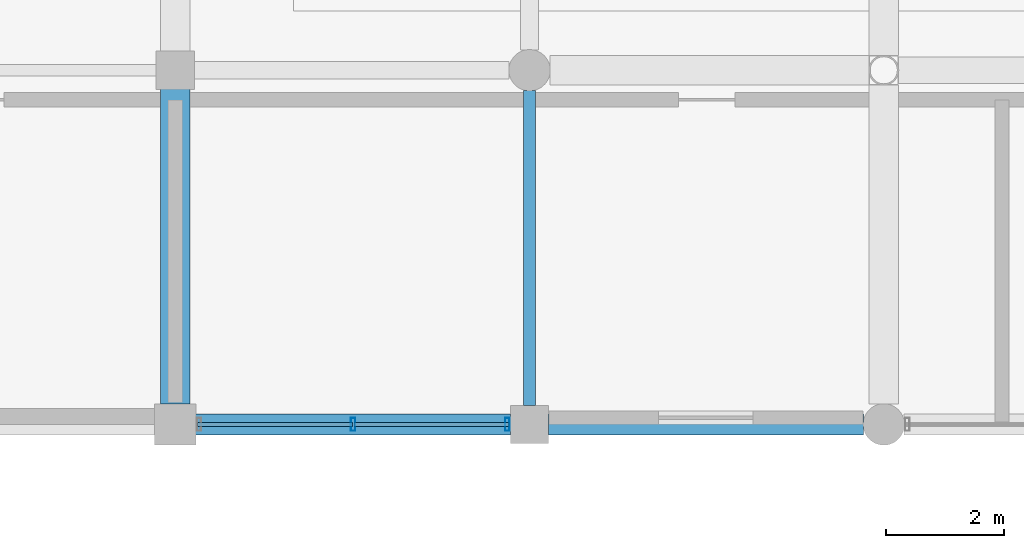
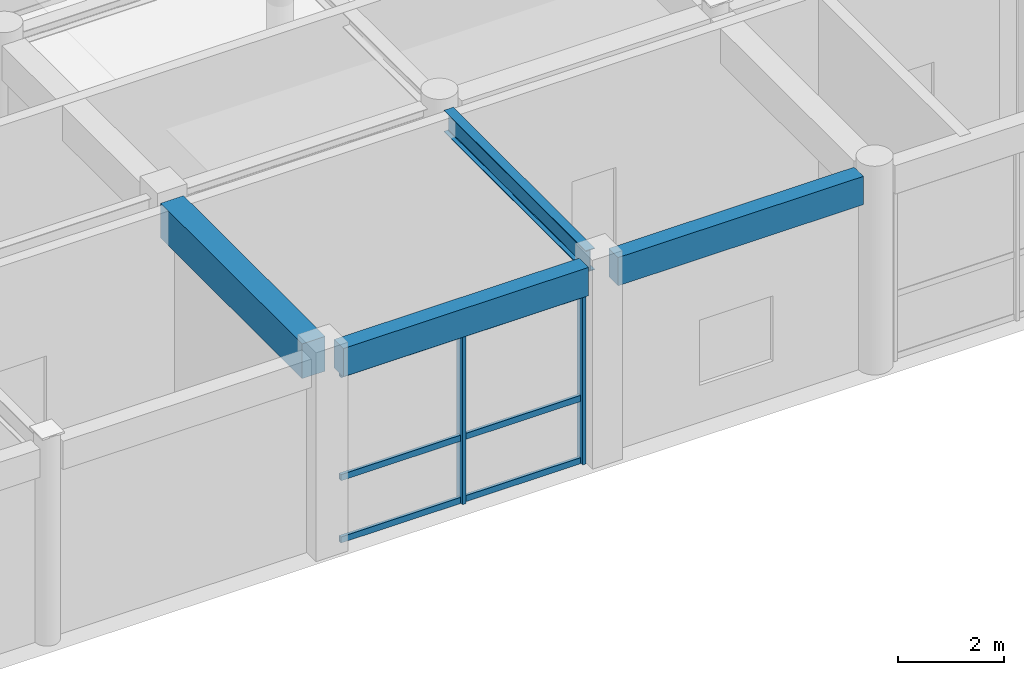
# One storey, part 46 of 112: 8 members, 4 beams, 1 element without a shape of its own.
"""IFC4 building model written with IfcOpenShell, lengths in metres."""

from ifc_helpers import new_model, si_unit, direction, frame, origin, origin_2d, place, context, subcontext, project, spatial, rectangle, hollow_rectangle, i_section, extrude, material, material_profile, profile_set, type_object, element, aggregate, save


model = new_model("IFC4")

# Units and contexts
model_context = context("Model", 3, precision=1e-05, world=origin(), true_north=direction((0.0, 1.0)))
body_context = subcontext(model_context, "Body", "Model", "MODEL_VIEW")
ifc_project = project(units=[si_unit("LENGTHUNIT", "METRE"), si_unit("AREAUNIT", "SQUARE_METRE"), si_unit("VOLUMEUNIT", "CUBIC_METRE"), si_unit("PLANEANGLEUNIT", "RADIAN"), si_unit("MASSUNIT", "GRAM", prefix="KILO"), si_unit("THERMODYNAMICTEMPERATUREUNIT", "KELVIN"), si_unit("POWERUNIT", "WATT")], contexts=[model_context])

# Site, building, storey
site_placement = place(None, origin())
site = spatial("IfcSite", under=ifc_project, at=site_placement, CompositionType="ELEMENT")
building_placement = place(site_placement, origin())
building = spatial("IfcBuilding", under=site, at=building_placement, Name="Phaisarnlok Congress Hotel", CompositionType="ELEMENT")
storey_placement = place(building_placement, frame((0.0, 0.0, 19.800048828125)))
storey = spatial("IfcBuildingStorey", under=building, at=storey_placement, Name="L04", CompositionType="ELEMENT", Elevation=19.800048828125)

# Beams
ifc_material_1 = material(Name="Concrete C40/50", Category="concrete")
ifc_material_profile_1 = material_profile(ifc_material_1, rectangle(XDim=0.5, YDim=0.800048828125, at=origin_2d()), Name="RC 500x800")
ifc_profile_set_1 = profile_set([ifc_material_profile_1], Name="Concrete C40/50")
beam_type_1 = type_object("IfcBeamType", Name="BM-RC-500x800", PredefinedType="BEAM", material=ifc_profile_set_1)
beam_1_placement = place(storey_placement, frame((84.0, 108.344970703125, 4.14990234375), z_axis=(0.0, 1.0, 0.0), x_axis=(-1.0, 0.0, 0.0)))
element("IfcBeam", 1, at=beam_1_placement, inside=storey, type_object=beam_type_1, Name="Beam B-04", PredefinedType="BEAM", context=body_context, shape_type="SweptSolid", body=[
    extrude(rectangle(XDim=0.5, YDim=0.800048828125, at=origin_2d()), origin(), (0.0, 0.0, 1.0), 5.3349609375),
])
ifc_material_2 = material(Name="Steel S355", Category="steel")
ifc_material_profile_2 = material_profile(ifc_material_2, i_section(OverallWidth=0.199951171875, OverallDepth=0.5, WebThickness=0.01025390625, FlangeThickness=0.01611328125, FilletRadius=0.02099609375, at=origin_2d()), Name="IPE 500")
ifc_profile_set_2 = profile_set([ifc_material_profile_2], Name="Steel S355")
beam_type_2 = type_object("IfcBeamType", Name="BM-STL-IPE500", PredefinedType="BEAM", material=ifc_profile_set_2)
beam_2_placement = place(storey_placement, frame((90.0, 108.320068359375, 4.300048828125), z_axis=(0.0, 1.0, 0.0), x_axis=(-1.0, 0.0, 0.0)))
element("IfcBeam", 2, at=beam_2_placement, inside=storey, type_object=beam_type_2, Name="Beam SB-02", PredefinedType="BEAM", context=body_context, shape_type="SweptSolid", body=[
    extrude(i_section(OverallWidth=0.199951171875, OverallDepth=0.5, WebThickness=0.01025390625, FlangeThickness=0.01611328125, FilletRadius=0.02099609375, at=origin_2d()), origin(), (0.0, 0.0, 1.0), 5.3349609375),
])

# Curtain wall, members
ifc_material_3 = material(Name="Thermally Broken Unitised Aluminium & Low-E Glazing", Category="aluminium")
curtain_wall_type = type_object("IfcCurtainWallType", Name="CW-UNIT-33", PredefinedType="NOTDEFINED", material=ifc_material_3)
curtain_wall_placement = place(storey_placement, origin())
curtain_wall = element("IfcCurtainWall", 3, at=curtain_wall_placement, inside=storey, type_object=curtain_wall_type, Name="Unitised curtain wall CW-33 (L04)", PredefinedType="NOTDEFINED")
ifc_material_4 = material(Name="Anodised Aluminium Alloy 6063-T6", Category="aluminium")
ifc_material_profile_3 = material_profile(ifc_material_4, hollow_rectangle(XDim=0.074951171875, YDim=0.219970703125, WallThickness=0.0048828125, at=origin_2d()), Name="ALU-M 75x220x5")
ifc_profile_set_3 = profile_set([ifc_material_profile_3], Name="Anodised Aluminium Alloy 6063-T6")
member_type_1 = type_object("IfcMemberType", Name="CWM-220", PredefinedType="MULLION", material=ifc_profile_set_3)
member_1_placement = place(storey_placement, frame((87.012451171875, 108.0, 0.0), z_axis=(0.0, 0.0, 1.0), x_axis=(1.0, 0.0, 0.0)))
member_1 = element("IfcMember", 4, at=member_1_placement, type_object=member_type_1, Name="Curtain wall mullion CWM-02", PredefinedType="MULLION", context=body_context, shape_type="SweptSolid", body=[
    extrude(hollow_rectangle(XDim=0.074951171875, YDim=0.219970703125, WallThickness=0.0048828125, at=origin_2d()), origin(), (0.0, 0.0, 1.0), 3.89990234375),
])
member_2_placement = place(storey_placement, frame((89.625, 108.0, 0.0), z_axis=(0.0, 0.0, 1.0), x_axis=(1.0, 0.0, 0.0)))
member_2 = element("IfcMember", 5, at=member_2_placement, type_object=member_type_1, Name="Curtain wall mullion CWM-02", PredefinedType="MULLION", context=body_context, shape_type="SweptSolid", body=[
    extrude(hollow_rectangle(XDim=0.074951171875, YDim=0.219970703125, WallThickness=0.0048828125, at=origin_2d()), origin(), (0.0, 0.0, 1.0), 3.89990234375),
])
ifc_material_profile_4 = material_profile(ifc_material_4, hollow_rectangle(XDim=0.06494140625, YDim=0.139892578125, WallThickness=0.00390625, at=origin_2d()), Name="ALU-T 65x140x4")
ifc_profile_set_4 = profile_set([ifc_material_profile_4], Name="Anodised Aluminium Alloy 6063-T6")
member_type_2 = type_object("IfcMemberType", Name="CWT-150", PredefinedType="USERDEFINED", material=ifc_profile_set_4)
member_3_placement = place(storey_placement, frame((84.375, 108.0, 0.050048828125), z_axis=(1.0, 0.0, 0.0), x_axis=(0.0, 1.0, 0.0)))
member_3 = element("IfcMember", 6, at=member_3_placement, type_object=member_type_2, Name="Curtain wall transom CWT-01", ObjectType="TRANSOM", PredefinedType="USERDEFINED", context=body_context, shape_type="SweptSolid", body=[
    extrude(hollow_rectangle(XDim=0.06494140625, YDim=0.139892578125, WallThickness=0.00390625, at=origin_2d()), origin(), (0.0, 0.0, 1.0), 2.62255859375),
])
member_4_placement = place(storey_placement, frame((84.375, 108.0, 1.48193359375), z_axis=(1.0, 0.0, 0.0), x_axis=(0.0, 1.0, 0.0)))
member_4 = element("IfcMember", 7, at=member_4_placement, type_object=member_type_2, Name="Curtain wall transom CWT-01", ObjectType="TRANSOM", PredefinedType="USERDEFINED", context=body_context, shape_type="SweptSolid", body=[
    extrude(hollow_rectangle(XDim=0.06494140625, YDim=0.139892578125, WallThickness=0.00390625, at=origin_2d()), origin(), (0.0, 0.0, 1.0), 2.62255859375),
])
member_5_placement = place(storey_placement, frame((84.375, 108.0, 3.849853515625), z_axis=(1.0, 0.0, 0.0), x_axis=(0.0, 1.0, 0.0)))
member_5 = element("IfcMember", 8, at=member_5_placement, type_object=member_type_2, Name="Curtain wall transom CWT-01", ObjectType="TRANSOM", PredefinedType="USERDEFINED", context=body_context, shape_type="SweptSolid", body=[
    extrude(hollow_rectangle(XDim=0.06494140625, YDim=0.139892578125, WallThickness=0.00390625, at=origin_2d()), origin(), (0.0, 0.0, 1.0), 2.62255859375),
])
member_6_placement = place(storey_placement, frame((87.027587890625, 108.0, 0.050048828125), z_axis=(1.0, 0.0, 0.0), x_axis=(0.0, 1.0, 0.0)))
member_6 = element("IfcMember", 9, at=member_6_placement, type_object=member_type_2, Name="Curtain wall transom CWT-01", ObjectType="TRANSOM", PredefinedType="USERDEFINED", context=body_context, shape_type="SweptSolid", body=[
    extrude(hollow_rectangle(XDim=0.06494140625, YDim=0.139892578125, WallThickness=0.00390625, at=origin_2d()), origin(), (0.0, 0.0, 1.0), 2.622314453125),
])
member_7_placement = place(storey_placement, frame((87.027587890625, 108.0, 1.48193359375), z_axis=(1.0, 0.0, 0.0), x_axis=(0.0, 1.0, 0.0)))
member_7 = element("IfcMember", 10, at=member_7_placement, type_object=member_type_2, Name="Curtain wall transom CWT-01", ObjectType="TRANSOM", PredefinedType="USERDEFINED", context=body_context, shape_type="SweptSolid", body=[
    extrude(hollow_rectangle(XDim=0.06494140625, YDim=0.139892578125, WallThickness=0.00390625, at=origin_2d()), origin(), (0.0, 0.0, 1.0), 2.622314453125),
])
member_8_placement = place(storey_placement, frame((87.027587890625, 108.0, 3.849853515625), z_axis=(1.0, 0.0, 0.0), x_axis=(0.0, 1.0, 0.0)))
member_8 = element("IfcMember", 11, at=member_8_placement, type_object=member_type_2, Name="Curtain wall transom CWT-01", ObjectType="TRANSOM", PredefinedType="USERDEFINED", context=body_context, shape_type="SweptSolid", body=[
    extrude(hollow_rectangle(XDim=0.06494140625, YDim=0.139892578125, WallThickness=0.00390625, at=origin_2d()), origin(), (0.0, 0.0, 1.0), 2.622314453125),
])
aggregate(curtain_wall, [member_1, member_2, member_3, member_4, member_5, member_6, member_7, member_8])

# Beams
ifc_material_profile_5 = material_profile(ifc_material_1, rectangle(XDim=0.35009765625, YDim=0.64990234375, at=origin_2d()), Name="RC 350x650")
ifc_profile_set_5 = profile_set([ifc_material_profile_5], Name="Concrete C40/50")
beam_type_3 = type_object("IfcBeamType", Name="SP-RC-350x650", PredefinedType="SPANDREL", material=ifc_profile_set_5)
for number, where, z_axis, x_axis, name in (
    (12, (84.344970703125, 108.0, 4.224853515625), (1.0, 0.0, 0.0), (0.0, 1.0, 0.0), "Beam SP-01"),
    (13, (90.320068359375, 108.0, 4.224853515625), (1.0, 0.0, 0.0), (0.0, 1.0, 0.0), "Beam SP-01"),
):
    element("IfcBeam", number, at=place(storey_placement, frame(where, z_axis=z_axis, x_axis=x_axis)), inside=storey, type_object=beam_type_3, Name=name, PredefinedType="SPANDREL", context=body_context, shape_type="SweptSolid", body=[
        extrude(rectangle(XDim=0.35009765625, YDim=0.64990234375, at=origin_2d()), origin(), (0.0, 0.0, 1.0), 5.3349609375),
    ])

save(model, "model.ifc")
